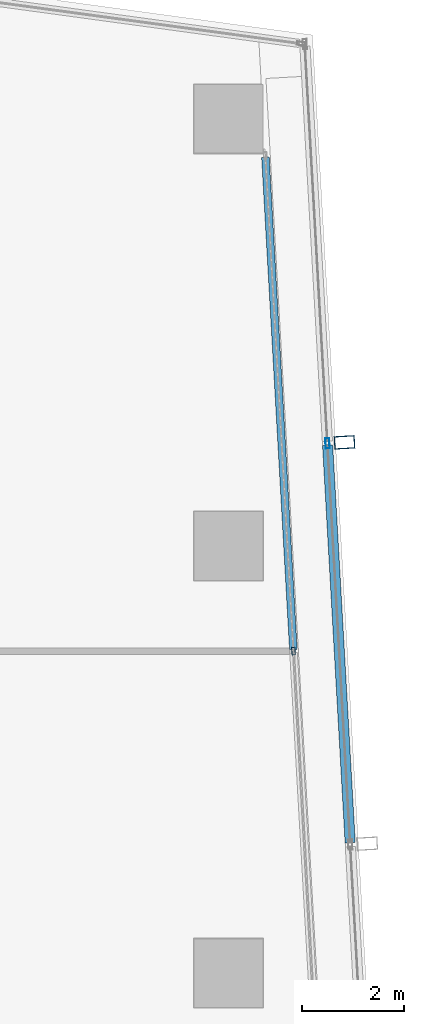
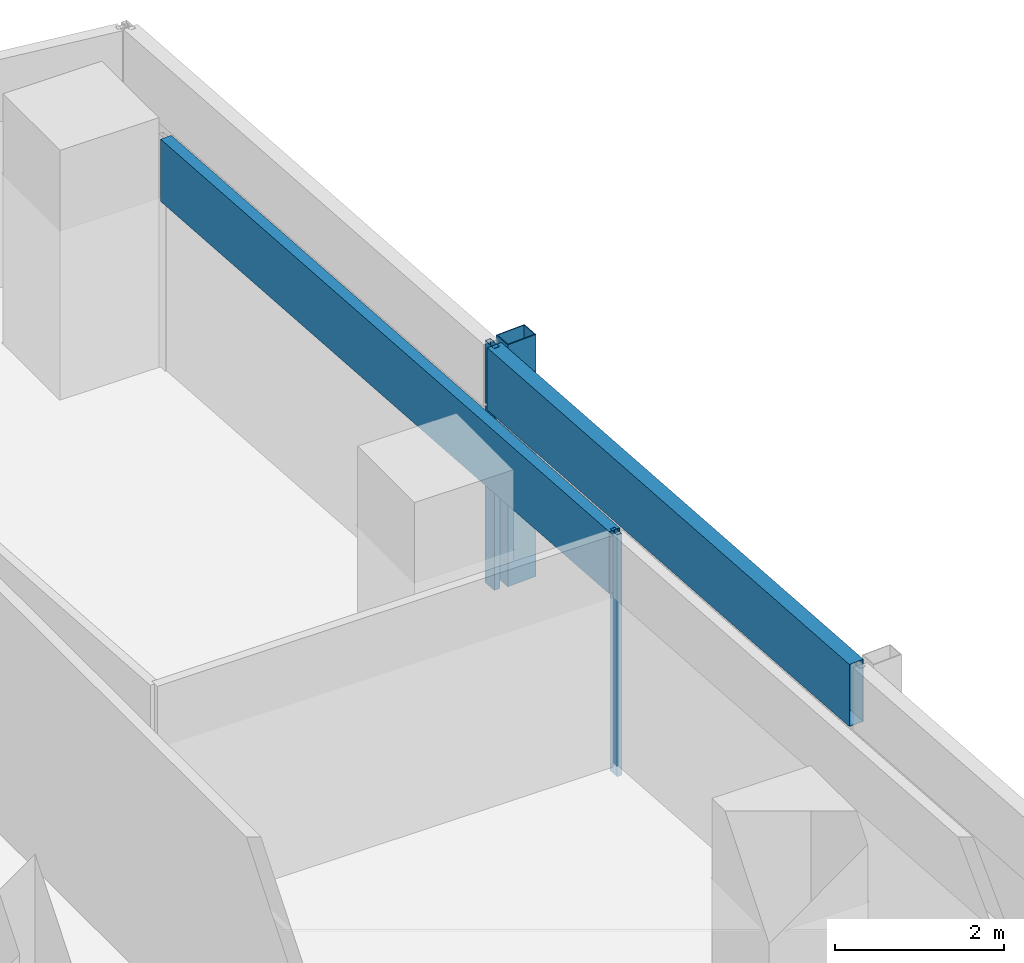
# One storey, part 22 of 39: 5 members, 2 elements without a shape of their own.
"""IFC4 building model written with IfcOpenShell, lengths in metres."""

from ifc_helpers import new_model, si_unit, direction, frame, origin, origin_2d, place, context, subcontext, project, spatial, hollow_rectangle, extrude, material, material_profile, profile_set, type_object, element, aggregate, save


model = new_model("IFC4")

# Units and contexts
model_context = context("Model", 3, precision=1e-05, world=origin(), true_north=direction((0.0, 1.0)))
body_context = subcontext(model_context, "Body", "Model", "MODEL_VIEW")
ifc_project = project(units=[si_unit("LENGTHUNIT", "METRE"), si_unit("AREAUNIT", "SQUARE_METRE"), si_unit("VOLUMEUNIT", "CUBIC_METRE"), si_unit("PLANEANGLEUNIT", "RADIAN"), si_unit("MASSUNIT", "GRAM", prefix="KILO")], contexts=[model_context])

# Site, building, storey
site_placement = place(None, origin())
site = spatial("IfcSite", under=ifc_project, at=site_placement, CompositionType="ELEMENT")
building_placement = place(site_placement, origin())
building = spatial("IfcBuilding", under=site, at=building_placement, Name="Rekha Terrace Tower", CompositionType="ELEMENT")
storey_placement = place(building_placement, frame((0.0, 0.0, 221.449951171875)))
storey = spatial("IfcBuildingStorey", under=building, at=storey_placement, Name="L56", CompositionType="ELEMENT", Elevation=221.449951171875)

# Curtain wall, member
ifc_material_1 = material(Name="Aluminium framing", Category="aluminium")
curtain_wall_type_1 = type_object("IfcCurtainWallType", Name="CW2 double skin outer glazing", PredefinedType="USERDEFINED", material=ifc_material_1)
curtain_wall_1_placement = place(storey_placement, origin())
curtain_wall_1 = element("IfcCurtainWall", 1, at=curtain_wall_1_placement, inside=storey, type_object=curtain_wall_type_1, Name="CW2 double skin outer glazing", ObjectType="DOUBLE SKIN OUTER GLAZING", PredefinedType="USERDEFINED")
ifc_material_2 = material(Name="Steel S355 with fluorocarbon finish", Category="steel")
ifc_material_profile_1 = material_profile(ifc_material_2, hollow_rectangle(XDim=0.25, YDim=0.39990234375, WallThickness=0.012451171875, at=origin_2d()), Name="RHS400x250x12.5")
ifc_profile_set_1 = profile_set([ifc_material_profile_1], Name="Steel S355 with fluorocarbon finish")
member_type_1 = type_object("IfcMemberType", Name="BL1 facade blade RHS 400 x 250", PredefinedType="USERDEFINED", material=ifc_profile_set_1)
member_1_placement = place(storey_placement, frame((61.080078125, 52.4375, 0.0), z_axis=(0.0, 0.0, 1.0), x_axis=(-0.056673619809, 0.998392758797, 0.0)))
member_1 = element("IfcMember", 2, at=member_1_placement, type_object=member_type_1, Name="Facade blade", ObjectType="FACADE BLADE", PredefinedType="USERDEFINED", context=body_context, shape_type="SweptSolid", body=[
    extrude(hollow_rectangle(XDim=0.25, YDim=0.39990234375, WallThickness=0.012451171875, at=origin_2d()), origin(), (0.0, 0.0, 1.0), 3.5),
])

# Curtain wall, members
curtain_wall_type_2 = type_object("IfcCurtainWallType", Name="CW1 double skin inner glazing", PredefinedType="USERDEFINED", material=ifc_material_1)
curtain_wall_2_placement = place(storey_placement, origin())
curtain_wall_2 = element("IfcCurtainWall", 3, at=curtain_wall_2_placement, inside=storey, type_object=curtain_wall_type_2, Name="CW1 double skin inner glazing", ObjectType="DOUBLE SKIN INNER GLAZING", PredefinedType="USERDEFINED")
ifc_material_3 = material(Name="Aluminium mullion section", Category="aluminium")
ifc_material_profile_2 = material_profile(ifc_material_3, hollow_rectangle(XDim=0.06494140625, YDim=0.14990234375, WallThickness=0.00390625, at=origin_2d()), Name="AL RHS 65x150")
ifc_profile_set_2 = profile_set([ifc_material_profile_2], Name="Aluminium mullion section")
member_type_2 = type_object("IfcMemberType", Name="CW1 mullion RHS 65 x 150", PredefinedType="MULLION", material=ifc_profile_set_2)
member_2_placement = place(storey_placement, frame((60.076171875, 48.331787109375, 0.0), z_axis=(0.0, 0.0, 1.0), x_axis=(-0.998392782919, -0.05667319486, 0.0)))
member_2 = element("IfcMember", 4, at=member_2_placement, type_object=member_type_2, Name="CW1 mullion 3", PredefinedType="MULLION", context=body_context, shape_type="SweptSolid", body=[
    extrude(hollow_rectangle(XDim=0.06494140625, YDim=0.14990234375, WallThickness=0.00390625, at=origin_2d()), origin(), (0.0, 0.0, 1.0), 3.5),
])
ifc_material_4 = material(Name="Insulated aluminium spandrel box", Category="aluminium")
ifc_material_profile_3 = material_profile(ifc_material_4, hollow_rectangle(XDim=0.14990234375, YDim=0.89990234375, WallThickness=0.0029296875, at=origin_2d()), Name="AL SPANDREL BOX 150x900")
ifc_profile_set_3 = profile_set([ifc_material_profile_3], Name="Insulated aluminium spandrel box")
member_type_3 = type_object("IfcMemberType", Name="CW1 spandrel transom 150 x 900", PredefinedType="USERDEFINED", material=ifc_profile_set_3)
member_3_placement = place(storey_placement, frame((60.07421875, 48.3642578125, 3.050048828125), z_axis=(-0.056665357377, 0.998393227778, 0.0), x_axis=(-0.998393227778, -0.056665357377, 0.0)))
member_3 = element("IfcMember", 5, at=member_3_placement, type_object=member_type_3, Name="CW1 spandrel transom 3", ObjectType="TRANSOM", PredefinedType="USERDEFINED", context=body_context, shape_type="SweptSolid", body=[
    extrude(hollow_rectangle(XDim=0.14990234375, YDim=0.89990234375, WallThickness=0.0029296875, at=origin_2d()), origin(), (0.0, 0.0, 1.0), 9.694091796875),
])
aggregate(curtain_wall_2, [member_2, member_3])

# Member
ifc_material_profile_4 = material_profile(ifc_material_3, hollow_rectangle(XDim=0.080078125, YDim=0.199951171875, WallThickness=0.00390625, at=origin_2d()), Name="AL RHS 80x200")
ifc_profile_set_4 = profile_set([ifc_material_profile_4], Name="Aluminium mullion section")
member_type_4 = type_object("IfcMemberType", Name="CW2 mullion RHS 80 x 200", PredefinedType="MULLION", material=ifc_profile_set_4)
member_4_placement = place(storey_placement, frame((60.74560546875, 52.41845703125, 0.0), z_axis=(0.0, 0.0, 1.0), x_axis=(-0.998392782919, -0.05667319486, 0.0)))
member_4 = element("IfcMember", 6, at=member_4_placement, type_object=member_type_4, Name="CW2 mullion 4", PredefinedType="MULLION", context=body_context, shape_type="SweptSolid", body=[
    extrude(hollow_rectangle(XDim=0.080078125, YDim=0.199951171875, WallThickness=0.00390625, at=origin_2d()), origin(), (0.0, 0.0, 1.0), 3.5),
])

ifc_material_profile_5 = material_profile(ifc_material_4, hollow_rectangle(XDim=0.199951171875, YDim=0.89990234375, WallThickness=0.0029296875, at=origin_2d()), Name="AL SPANDREL BOX 200x900")
ifc_profile_set_5 = profile_set([ifc_material_profile_5], Name="Insulated aluminium spandrel box")
member_type_5 = type_object("IfcMemberType", Name="CW2 spandrel transom 200 x 900", PredefinedType="USERDEFINED", material=ifc_profile_set_5)
member_5_placement = place(storey_placement, frame((61.19140625, 44.567626953125, 3.050048828125), z_axis=(-0.056702299999, 0.998391130357, 0.0), x_axis=(-0.998391130357, -0.056702299999, 0.0)))
member_5 = element("IfcMember", 7, at=member_5_placement, type_object=member_type_5, Name="CW2 spandrel transom 3", ObjectType="TRANSOM", PredefinedType="USERDEFINED", context=body_context, shape_type="SweptSolid", body=[
    extrude(hollow_rectangle(XDim=0.199951171875, YDim=0.89990234375, WallThickness=0.0029296875, at=origin_2d()), origin(), (0.0, 0.0, 1.0), 7.823486328125),
])

aggregate(curtain_wall_1, [member_4, member_5, member_1])

save(model, "model.ifc")
